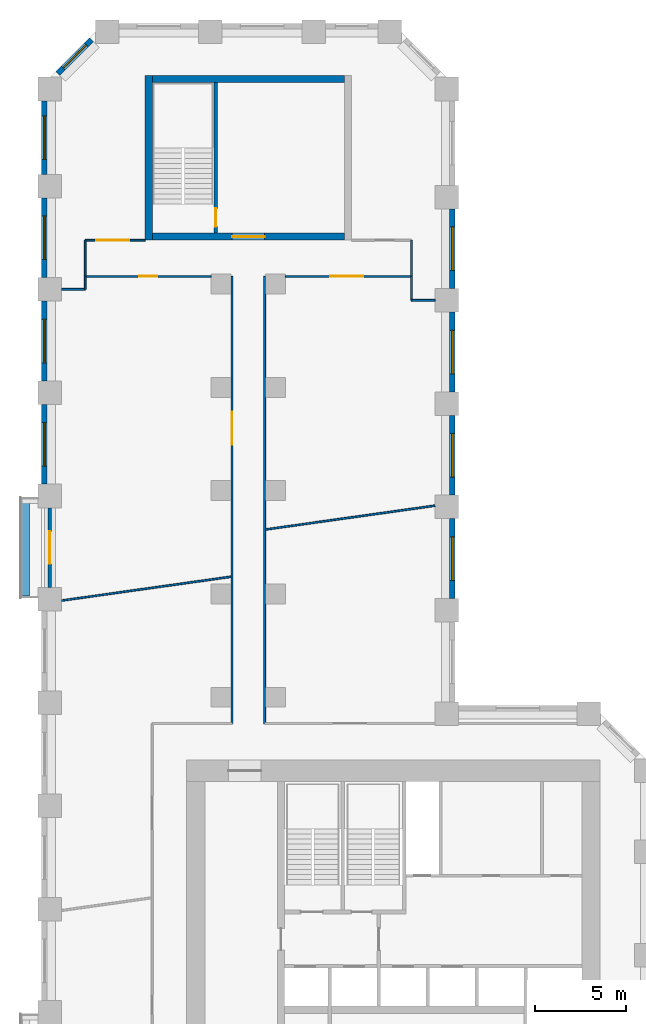
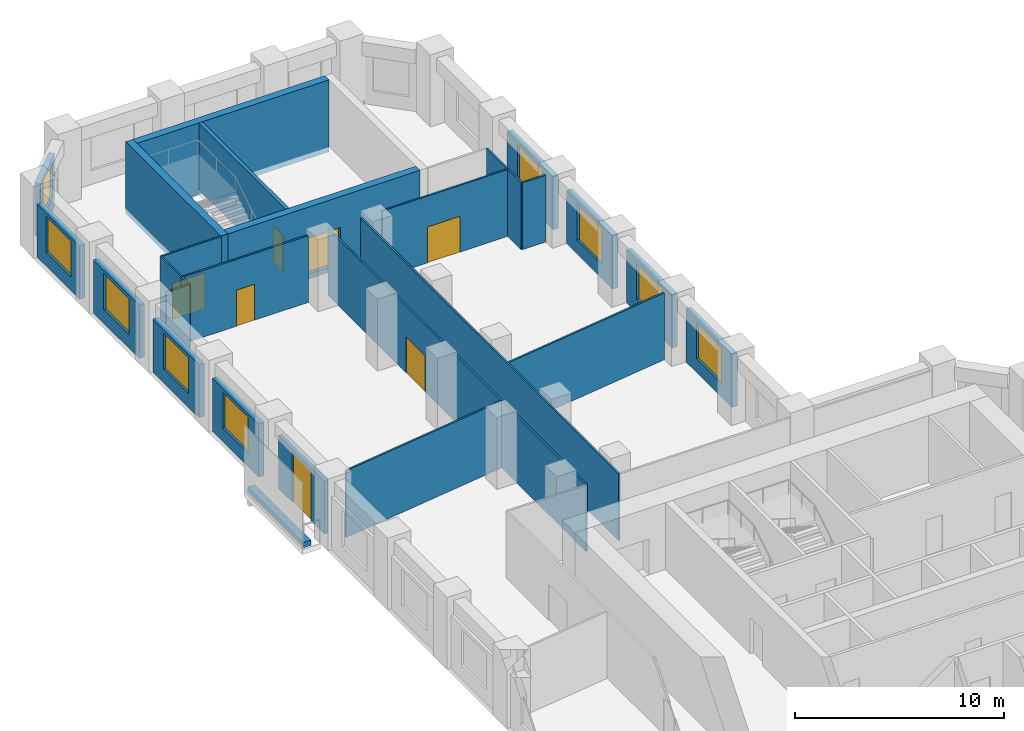
# One storey, part 8 of 11: 28 walls, 9 windows, 7 doors, 16 openings.
"""IFC4 building model written with IfcOpenShell, lengths in metres."""

from ifc_helpers import new_model, si_unit, direction, frame, frame_2d, origin, place, context, subcontext, project, spatial, rectangle, extrude, material, layer, layer_set, type_object, element, fill, save


model = new_model("IFC4")

# Units and contexts
model_context = context("Model", 3, precision=1e-05, world=origin(), true_north=direction((0.0, 1.0)))
body_context = subcontext(model_context, "Body", "Model", "MODEL_VIEW")
ifc_project = project(units=[si_unit("LENGTHUNIT", "METRE"), si_unit("AREAUNIT", "SQUARE_METRE"), si_unit("VOLUMEUNIT", "CUBIC_METRE"), si_unit("PLANEANGLEUNIT", "RADIAN"), si_unit("MASSUNIT", "GRAM", prefix="KILO")], contexts=[model_context])

# Site, building, storey
site_placement = place(None, origin())
site = spatial("IfcSite", under=ifc_project, at=site_placement, CompositionType="ELEMENT")
building_placement = place(site_placement, origin())
building = spatial("IfcBuilding", under=site, at=building_placement, Name="Meshkara Civic Tower", CompositionType="ELEMENT")
storey_placement = place(building_placement, frame((0.0, 0.0, 105.60009765625)))
storey = spatial("IfcBuildingStorey", under=building, at=storey_placement, Name="L23", CompositionType="ELEMENT", Elevation=105.60009765625)

# Wall, opening, door
ifc_material_1 = material(Name="Corridor wall 100")
ifc_layer_1 = layer(ifc_material_1, 0.10009765625)
ifc_layer_set_1 = layer_set([ifc_layer_1], Name="Corridor wall 100")
wall_type_1 = type_object("IfcWallType", Name="Corridor wall 100", PredefinedType="PARTITIONING", material=ifc_layer_set_1)
wall_1_placement = place(storey_placement, frame((2.39990234375, 63.570068359375, 0.0), z_axis=(0.0, 0.0, 1.0), x_axis=(1.0, 0.0, 0.0)))
wall_1 = element("IfcWall", 1, at=wall_1_placement, inside=storey, type_object=wall_type_1, Name="L23-W001", PredefinedType="PARTITIONING", context=body_context, shape_type="SweptSolid", body=[
    extrude(rectangle(XDim=6.9501953125, YDim=0.10009765625, at=frame_2d((3.47509765625, 0.0))), origin(), (0.0, 0.0, 1.0), 3.89990234375),
])
opening_1_placement = place(wall_1_placement, frame((2.97998046875, 0.0, 0.0)))
opening_1 = element("IfcOpeningElement", 2, at=opening_1_placement, cuts=wall_1, Name="Opening L23-D024", PredefinedType="OPENING", context=body_context, shape_type="SweptSolid", body=[
    extrude(rectangle(XDim=1.0, YDim=2.10009765625, at=frame_2d((0.5, 1.050048828125))), frame((0.0, 0.06005859375, 0.0), z_axis=(0.0, -1.0, 0.0), x_axis=(1.0, 0.0, 0.0)), (0.0, 0.0, 1.0), 0.1201171875),
])
ifc_material_2 = material(Name="Door 1000 x 2100")
door_type_1 = type_object("IfcDoorType", Name="Door 1000 x 2100", OperationType="SINGLE_SWING_LEFT", PredefinedType="DOOR", material=ifc_material_2)
door_1_placement = place(opening_1_placement, origin())
door_1 = element("IfcDoor", 3, at=door_1_placement, inside=storey, type_object=door_type_1, Name="L23-D024", OperationType="SINGLE_SWING_LEFT", OverallHeight=2.10009765625, OverallWidth=1.0, PredefinedType="DOOR", context=body_context, shape_type="SweptSolid", body=[
    extrude(rectangle(XDim=1.0, YDim=2.10009765625, at=frame_2d((0.5, 1.050048828125))), frame((0.0, 0.02490234375, 0.0), z_axis=(0.0, -1.0, 0.0), x_axis=(1.0, 0.0, 0.0)), (0.0, 0.0, 1.0), 0.050048828125),
])
fill(opening_1, door_1)

# Wall
wall_2_placement = place(storey_placement, frame((2.39990234375, 65.570068359375, 0.0), z_axis=(0.0, 0.0, 1.0), x_axis=(0.0, -1.0, 0.0)))
element("IfcWall", 4, at=wall_2_placement, inside=storey, type_object=wall_type_1, Name="L23-W002", PredefinedType="PARTITIONING", context=body_context, shape_type="SweptSolid", body=[
    extrude(rectangle(XDim=2.0, YDim=0.10009765625, at=frame_2d((1.0, 0.0))), origin(), (0.0, 0.0, 1.0), 3.89990234375),
])

# Wall, opening, door
wall_3_placement = place(storey_placement, frame((5.699951171875, 65.570068359375, 0.0), z_axis=(0.0, 0.0, 1.0), x_axis=(-1.0, 0.0, 0.0)))
wall_3 = element("IfcWall", 5, at=wall_3_placement, inside=storey, type_object=wall_type_1, Name="L23-W003", PredefinedType="PARTITIONING", context=body_context, shape_type="SweptSolid", body=[
    extrude(rectangle(XDim=3.300048828125, YDim=0.10009765625, at=frame_2d((1.64990234375, 0.0))), origin(), (0.0, 0.0, 1.0), 3.89990234375),
])
opening_2_placement = place(wall_3_placement, frame((0.8798828125, 0.0, 0.0)))
opening_2 = element("IfcOpeningElement", 6, at=opening_2_placement, cuts=wall_3, Name="Opening L23-D023", PredefinedType="OPENING", context=body_context, shape_type="SweptSolid", body=[
    extrude(rectangle(XDim=1.800048828125, YDim=2.10009765625, at=frame_2d((0.89990234375, 1.050048828125))), frame((0.0, 0.06005859375, 0.0), z_axis=(0.0, -1.0, 0.0), x_axis=(1.0, 0.0, 0.0)), (0.0, 0.0, 1.0), 0.1201171875),
])
ifc_material_3 = material(Name="Door pair 1800 x 2100")
door_type_2 = type_object("IfcDoorType", Name="Door pair 1800 x 2100", OperationType="SINGLE_SWING_LEFT", PredefinedType="DOOR", material=ifc_material_3)
door_2_placement = place(opening_2_placement, origin())
door_2 = element("IfcDoor", 7, at=door_2_placement, inside=storey, type_object=door_type_2, Name="L23-D023", OperationType="DOUBLE_DOOR_SINGLE_SWING", OverallHeight=2.10009765625, OverallWidth=1.800048828125, PredefinedType="DOOR", context=body_context, shape_type="SweptSolid", body=[
    extrude(rectangle(XDim=1.800048828125, YDim=2.10009765625, at=frame_2d((0.89990234375, 1.050048828125))), frame((0.0, 0.02490234375, 0.0), z_axis=(0.0, -1.0, 0.0), x_axis=(1.0, 0.0, 0.0)), (0.0, 0.0, 1.0), 0.050048828125),
])
fill(opening_2, door_2)

wall_4_placement = place(storey_placement, frame((10.5, 63.570068359375, 0.0), z_axis=(0.0, 0.0, 1.0), x_axis=(0.0, -1.0, 0.0)))
wall_4 = element("IfcWall", 8, at=wall_4_placement, inside=storey, type_object=wall_type_1, Name="L23-W012", PredefinedType="PARTITIONING", context=body_context, shape_type="SweptSolid", body=[
    extrude(rectangle(XDim=24.670166015625, YDim=0.10009765625, at=frame_2d((12.3349609375, 0.0))), origin(), (0.0, 0.0, 1.0), 3.89990234375),
])
opening_3_placement = place(wall_4_placement, frame((7.47998046875, 0.0, 0.0)))
opening_3 = element("IfcOpeningElement", 9, at=opening_3_placement, cuts=wall_4, Name="Opening L23-D022", PredefinedType="OPENING", context=body_context, shape_type="SweptSolid", body=[
    extrude(rectangle(XDim=1.800048828125, YDim=2.10009765625, at=frame_2d((0.89990234375, 1.050048828125))), frame((0.0, 0.06005859375, 0.0), z_axis=(0.0, -1.0, 0.0), x_axis=(1.0, 0.0, 0.0)), (0.0, 0.0, 1.0), 0.1201171875),
])
door_3_placement = place(opening_3_placement, origin())
door_3 = element("IfcDoor", 10, at=door_3_placement, inside=storey, type_object=door_type_2, Name="L23-D022", OperationType="DOUBLE_DOOR_SINGLE_SWING", OverallHeight=2.10009765625, OverallWidth=1.800048828125, PredefinedType="DOOR", context=body_context, shape_type="SweptSolid", body=[
    extrude(rectangle(XDim=1.800048828125, YDim=2.10009765625, at=frame_2d((0.89990234375, 1.050048828125))), frame((0.0, 0.02490234375, 0.0), z_axis=(0.0, -1.0, 0.0), x_axis=(1.0, 0.0, 0.0)), (0.0, 0.0, 1.0), 0.050048828125),
])
fill(opening_3, door_3)

# Wall
wall_5_placement = place(storey_placement, frame((12.300048828125, 63.570068359375, 0.0), z_axis=(0.0, 0.0, 1.0), x_axis=(0.0, -1.0, 0.0)))
element("IfcWall", 11, at=wall_5_placement, inside=storey, type_object=wall_type_1, Name="L23-W013", PredefinedType="PARTITIONING", context=body_context, shape_type="SweptSolid", body=[
    extrude(rectangle(XDim=24.670166015625, YDim=0.10009765625, at=frame_2d((12.3349609375, 0.0))), origin(), (0.0, 0.0, 1.0), 3.89990234375),
])

# Wall, opening, door
wall_6_placement = place(storey_placement, frame((13.449951171875, 63.570068359375, 0.0), z_axis=(0.0, 0.0, 1.0), x_axis=(1.0, 0.0, 0.0)))
wall_6 = element("IfcWall", 12, at=wall_6_placement, inside=storey, type_object=wall_type_1, Name="L23-W015", PredefinedType="PARTITIONING", context=body_context, shape_type="SweptSolid", body=[
    extrude(rectangle(XDim=6.949951171875, YDim=0.10009765625, at=frame_2d((3.47509765625, 0.0))), origin(), (0.0, 0.0, 1.0), 3.89990234375),
])
opening_4_placement = place(wall_6_placement, frame((2.47998046875, 0.0, 0.0)))
opening_4 = element("IfcOpeningElement", 13, at=opening_4_placement, cuts=wall_6, Name="Opening L23-D025", PredefinedType="OPENING", context=body_context, shape_type="SweptSolid", body=[
    extrude(rectangle(XDim=1.800048828125, YDim=2.10009765625, at=frame_2d((0.89990234375, 1.050048828125))), frame((0.0, 0.06005859375, 0.0), z_axis=(0.0, -1.0, 0.0), x_axis=(1.0, 0.0, 0.0)), (0.0, 0.0, 1.0), 0.1201171875),
])
door_4_placement = place(opening_4_placement, origin())
door_4 = element("IfcDoor", 14, at=door_4_placement, inside=storey, type_object=door_type_2, Name="L23-D025", OperationType="DOUBLE_DOOR_SINGLE_SWING", OverallHeight=2.10009765625, OverallWidth=1.800048828125, PredefinedType="DOOR", context=body_context, shape_type="SweptSolid", body=[
    extrude(rectangle(XDim=1.800048828125, YDim=2.10009765625, at=frame_2d((0.89990234375, 1.050048828125))), frame((0.0, 0.02490234375, 0.0), z_axis=(0.0, -1.0, 0.0), x_axis=(1.0, 0.0, 0.0)), (0.0, 0.0, 1.0), 0.050048828125),
])
fill(opening_4, door_4)

# Wall
wall_7_placement = place(storey_placement, frame((20.39990234375, 63.570068359375, 0.0), z_axis=(0.0, 0.0, 1.0), x_axis=(0.0, 1.0, 0.0)))
element("IfcWall", 15, at=wall_7_placement, inside=storey, type_object=wall_type_1, Name="L23-W016", PredefinedType="PARTITIONING", context=body_context, shape_type="SweptSolid", body=[
    extrude(rectangle(XDim=2.0, YDim=0.10009765625, at=frame_2d((1.0, 0.0))), origin(), (0.0, 0.0, 1.0), 3.89990234375),
])

# Wall, opening, window
ifc_material_4 = material(Name="Insulated infill panel with bronze anodised aluminium cladding", Category="aluminium")
ifc_layer_2 = layer(ifc_material_4, 0.300048828125)
ifc_layer_set_2 = layer_set([ifc_layer_2], Name="EXTERNAL INFILL WALL 300")
wall_type_2 = type_object("IfcWallType", Name="EXTERNAL INFILL WALL 300", PredefinedType="SOLIDWALL", material=ifc_layer_set_2)
wall_8_placement = place(storey_placement, frame((22.64990234375, 45.800048828125, 0.0), z_axis=(0.0, 0.0, 1.0), x_axis=(0.0, 1.0, 0.0)))
wall_8 = element("IfcWall", 16, at=wall_8_placement, inside=storey, type_object=wall_type_2, Name="External wall", PredefinedType="SOLIDWALL", context=body_context, shape_type="SweptSolid", body=[
    extrude(rectangle(XDim=4.39990234375, YDim=0.300048828125, at=frame_2d((2.199951171875, 0.0))), origin(), (0.0, 0.0, 1.0), 3.099853515625),
])
opening_5_placement = place(wall_8_placement, frame((1.0, 0.0, 0.800048828125)))
opening_5 = element("IfcOpeningElement", 17, at=opening_5_placement, cuts=wall_8, Name="Opening W7", PredefinedType="OPENING", context=body_context, shape_type="SweptSolid", body=[
    extrude(rectangle(XDim=2.39990234375, YDim=2.10009765625, at=frame_2d((1.199951171875, 1.050048828125))), frame((0.0, 0.159912109375, 0.0), z_axis=(0.0, -1.0, 0.0), x_axis=(1.0, 0.0, 0.0)), (0.0, 0.0, 1.0), 0.320068359375),
])
ifc_material_5 = material(Name="Tinted double glazing", Category="glass")
window_type_1 = type_object("IfcWindowType", Name="WINDOW 2400x2100", PartitioningType="DOUBLE_PANEL_VERTICAL", PredefinedType="WINDOW", material=ifc_material_5)
window_1_placement = place(opening_5_placement, origin())
window_1 = element("IfcWindow", 18, at=window_1_placement, inside=storey, type_object=window_type_1, Name="Window", OverallHeight=2.10009765625, OverallWidth=2.39990234375, PartitioningType="DOUBLE_PANEL_VERTICAL", PredefinedType="WINDOW", context=body_context, shape_type="SweptSolid", body=[
    extrude(rectangle(XDim=2.39990234375, YDim=2.10009765625, at=frame_2d((1.199951171875, 1.050048828125))), frame((0.0, 0.030029296875, 0.0), z_axis=(0.0, -1.0, 0.0), x_axis=(1.0, 0.0, 0.0)), (0.0, 0.0, 1.0), 0.06005859375),
])
fill(opening_5, window_1)

wall_9_placement = place(storey_placement, frame((22.64990234375, 51.5, 0.0), z_axis=(0.0, 0.0, 1.0), x_axis=(0.0, 1.0, 0.0)))
wall_9 = element("IfcWall", 19, at=wall_9_placement, inside=storey, type_object=wall_type_2, Name="External wall", PredefinedType="SOLIDWALL", context=body_context, shape_type="SweptSolid", body=[
    extrude(rectangle(XDim=4.39990234375, YDim=0.300048828125, at=frame_2d((2.199951171875, 0.0))), origin(), (0.0, 0.0, 1.0), 3.099853515625),
])
opening_6_placement = place(wall_9_placement, frame((1.0, 0.0, 0.800048828125)))
opening_6 = element("IfcOpeningElement", 20, at=opening_6_placement, cuts=wall_9, Name="Opening W7", PredefinedType="OPENING", context=body_context, shape_type="SweptSolid", body=[
    extrude(rectangle(XDim=2.39990234375, YDim=2.10009765625, at=frame_2d((1.199951171875, 1.050048828125))), frame((0.0, 0.159912109375, 0.0), z_axis=(0.0, -1.0, 0.0), x_axis=(1.0, 0.0, 0.0)), (0.0, 0.0, 1.0), 0.320068359375),
])
window_2_placement = place(opening_6_placement, origin())
window_2 = element("IfcWindow", 21, at=window_2_placement, inside=storey, type_object=window_type_1, Name="Window", OverallHeight=2.10009765625, OverallWidth=2.39990234375, PartitioningType="DOUBLE_PANEL_VERTICAL", PredefinedType="WINDOW", context=body_context, shape_type="SweptSolid", body=[
    extrude(rectangle(XDim=2.39990234375, YDim=2.10009765625, at=frame_2d((1.199951171875, 1.050048828125))), frame((0.0, 0.030029296875, 0.0), z_axis=(0.0, -1.0, 0.0), x_axis=(1.0, 0.0, 0.0)), (0.0, 0.0, 1.0), 0.06005859375),
])
fill(opening_6, window_2)

wall_10_placement = place(storey_placement, frame((22.64990234375, 57.199951171875, 0.0), z_axis=(0.0, 0.0, 1.0), x_axis=(0.0, 1.0, 0.0)))
wall_10 = element("IfcWall", 22, at=wall_10_placement, inside=storey, type_object=wall_type_2, Name="External wall", PredefinedType="SOLIDWALL", context=body_context, shape_type="SweptSolid", body=[
    extrude(rectangle(XDim=4.400146484375, YDim=0.300048828125, at=frame_2d((2.2001953125, 0.0))), origin(), (0.0, 0.0, 1.0), 3.099853515625),
])
opening_7_placement = place(wall_10_placement, frame((1.0, 0.0, 0.800048828125)))
opening_7 = element("IfcOpeningElement", 23, at=opening_7_placement, cuts=wall_10, Name="Opening W7", PredefinedType="OPENING", context=body_context, shape_type="SweptSolid", body=[
    extrude(rectangle(XDim=2.39990234375, YDim=2.10009765625, at=frame_2d((1.199951171875, 1.050048828125))), frame((0.0, 0.159912109375, 0.0), z_axis=(0.0, -1.0, 0.0), x_axis=(1.0, 0.0, 0.0)), (0.0, 0.0, 1.0), 0.320068359375),
])
window_3_placement = place(opening_7_placement, origin())
window_3 = element("IfcWindow", 24, at=window_3_placement, inside=storey, type_object=window_type_1, Name="Window", OverallHeight=2.10009765625, OverallWidth=2.39990234375, PartitioningType="DOUBLE_PANEL_VERTICAL", PredefinedType="WINDOW", context=body_context, shape_type="SweptSolid", body=[
    extrude(rectangle(XDim=2.39990234375, YDim=2.10009765625, at=frame_2d((1.199951171875, 1.050048828125))), frame((0.0, 0.030029296875, 0.0), z_axis=(0.0, -1.0, 0.0), x_axis=(1.0, 0.0, 0.0)), (0.0, 0.0, 1.0), 0.06005859375),
])
fill(opening_7, window_3)

wall_11_placement = place(storey_placement, frame((22.64990234375, 62.89990234375, 0.0), z_axis=(0.0, 0.0, 1.0), x_axis=(0.0, 1.0, 0.0)))
wall_11 = element("IfcWall", 25, at=wall_11_placement, inside=storey, type_object=wall_type_2, Name="External wall", PredefinedType="SOLIDWALL", context=body_context, shape_type="SweptSolid", body=[
    extrude(rectangle(XDim=4.400146484375, YDim=0.300048828125, at=frame_2d((2.2001953125, 0.0))), origin(), (0.0, 0.0, 1.0), 3.099853515625),
])
opening_8_placement = place(wall_11_placement, frame((1.0, 0.0, 0.800048828125)))
opening_8 = element("IfcOpeningElement", 26, at=opening_8_placement, cuts=wall_11, Name="Opening W7", PredefinedType="OPENING", context=body_context, shape_type="SweptSolid", body=[
    extrude(rectangle(XDim=2.39990234375, YDim=2.10009765625, at=frame_2d((1.199951171875, 1.050048828125))), frame((0.0, 0.159912109375, 0.0), z_axis=(0.0, -1.0, 0.0), x_axis=(1.0, 0.0, 0.0)), (0.0, 0.0, 1.0), 0.320068359375),
])
window_4_placement = place(opening_8_placement, origin())
window_4 = element("IfcWindow", 27, at=window_4_placement, inside=storey, type_object=window_type_1, Name="Window", OverallHeight=2.10009765625, OverallWidth=2.39990234375, PartitioningType="DOUBLE_PANEL_VERTICAL", PredefinedType="WINDOW", context=body_context, shape_type="SweptSolid", body=[
    extrude(rectangle(XDim=2.39990234375, YDim=2.10009765625, at=frame_2d((1.199951171875, 1.050048828125))), frame((0.0, 0.030029296875, 0.0), z_axis=(0.0, -1.0, 0.0), x_axis=(1.0, 0.0, 0.0)), (0.0, 0.0, 1.0), 0.06005859375),
])
fill(opening_8, window_4)

wall_12_placement = place(storey_placement, frame((2.743896484375, 76.632080078125, 0.0), z_axis=(0.0, 0.0, 1.0), x_axis=(-0.707060274772, -0.707153284542, 0.0)))
wall_12 = element("IfcWall", 28, at=wall_12_placement, inside=storey, type_object=wall_type_2, Name="External wall", PredefinedType="SOLIDWALL", context=body_context, shape_type="SweptSolid", body=[
    extrude(rectangle(XDim=2.625, YDim=0.300048828125, at=frame_2d((1.3125, 0.0))), origin(), (0.0, 0.0, 1.0), 3.099853515625),
])
opening_9_placement = place(wall_12_placement, frame((0.412109375, 0.0, 0.800048828125)))
opening_9 = element("IfcOpeningElement", 29, at=opening_9_placement, cuts=wall_12, Name="Opening W9", PredefinedType="OPENING", context=body_context, shape_type="SweptSolid", body=[
    extrude(rectangle(XDim=1.800048828125, YDim=2.10009765625, at=frame_2d((0.89990234375, 1.050048828125))), frame((0.0, 0.159912109375, 0.0), z_axis=(0.0, -1.0, 0.0), x_axis=(1.0, 0.0, 0.0)), (0.0, 0.0, 1.0), 0.320068359375),
])
ifc_material_6 = material(Name="Tinted double glazing", Category="glass")
window_type_2 = type_object("IfcWindowType", Name="WINDOW 1800x2100", PartitioningType="DOUBLE_PANEL_VERTICAL", PredefinedType="WINDOW", material=ifc_material_6)
window_5_placement = place(opening_9_placement, origin())
window_5 = element("IfcWindow", 30, at=window_5_placement, inside=storey, type_object=window_type_2, Name="Window", OverallHeight=2.10009765625, OverallWidth=1.800048828125, PartitioningType="DOUBLE_PANEL_VERTICAL", PredefinedType="WINDOW", context=body_context, shape_type="SweptSolid", body=[
    extrude(rectangle(XDim=1.800048828125, YDim=2.10009765625, at=frame_2d((0.89990234375, 1.050048828125))), frame((0.0, 0.030029296875, 0.0), z_axis=(0.0, -1.0, 0.0), x_axis=(1.0, 0.0, 0.0)), (0.0, 0.0, 1.0), 0.06005859375),
])
fill(opening_9, window_5)

wall_13_placement = place(storey_placement, frame((0.14990234375, 73.263916015625, 0.0), z_axis=(0.0, 0.0, 1.0), x_axis=(0.0, -1.0, 0.0)))
wall_13 = element("IfcWall", 31, at=wall_13_placement, inside=storey, type_object=wall_type_2, Name="External wall", PredefinedType="SOLIDWALL", context=body_context, shape_type="SweptSolid", body=[
    extrude(rectangle(XDim=4.058837890625, YDim=0.300048828125, at=frame_2d((2.029296875, 0.0))), origin(), (0.0, 0.0, 1.0), 3.099853515625),
])
opening_10_placement = place(wall_13_placement, frame((0.8291015625, 0.0, 0.800048828125)))
opening_10 = element("IfcOpeningElement", 32, at=opening_10_placement, cuts=wall_13, Name="Opening W7", PredefinedType="OPENING", context=body_context, shape_type="SweptSolid", body=[
    extrude(rectangle(XDim=2.39990234375, YDim=2.10009765625, at=frame_2d((1.199951171875, 1.050048828125))), frame((0.0, 0.159912109375, 0.0), z_axis=(0.0, -1.0, 0.0), x_axis=(1.0, 0.0, 0.0)), (0.0, 0.0, 1.0), 0.320068359375),
])
window_6_placement = place(opening_10_placement, origin())
window_6 = element("IfcWindow", 33, at=window_6_placement, inside=storey, type_object=window_type_1, Name="Window", OverallHeight=2.10009765625, OverallWidth=2.39990234375, PartitioningType="DOUBLE_PANEL_VERTICAL", PredefinedType="WINDOW", context=body_context, shape_type="SweptSolid", body=[
    extrude(rectangle(XDim=2.39990234375, YDim=2.10009765625, at=frame_2d((1.199951171875, 1.050048828125))), frame((0.0, 0.030029296875, 0.0), z_axis=(0.0, -1.0, 0.0), x_axis=(1.0, 0.0, 0.0)), (0.0, 0.0, 1.0), 0.06005859375),
])
fill(opening_10, window_6)

wall_14_placement = place(storey_placement, frame((0.14990234375, 67.905029296875, 0.0), z_axis=(0.0, 0.0, 1.0), x_axis=(0.0, -1.0, 0.0)))
wall_14 = element("IfcWall", 34, at=wall_14_placement, inside=storey, type_object=wall_type_2, Name="External wall", PredefinedType="SOLIDWALL", context=body_context, shape_type="SweptSolid", body=[
    extrude(rectangle(XDim=4.400146484375, YDim=0.300048828125, at=frame_2d((2.2001953125, 0.0))), origin(), (0.0, 0.0, 1.0), 3.099853515625),
])
opening_11_placement = place(wall_14_placement, frame((1.0, 0.0, 0.800048828125)))
opening_11 = element("IfcOpeningElement", 35, at=opening_11_placement, cuts=wall_14, Name="Opening W7", PredefinedType="OPENING", context=body_context, shape_type="SweptSolid", body=[
    extrude(rectangle(XDim=2.39990234375, YDim=2.10009765625, at=frame_2d((1.199951171875, 1.050048828125))), frame((0.0, 0.159912109375, 0.0), z_axis=(0.0, -1.0, 0.0), x_axis=(1.0, 0.0, 0.0)), (0.0, 0.0, 1.0), 0.320068359375),
])
window_7_placement = place(opening_11_placement, origin())
window_7 = element("IfcWindow", 36, at=window_7_placement, inside=storey, type_object=window_type_1, Name="Window", OverallHeight=2.10009765625, OverallWidth=2.39990234375, PartitioningType="DOUBLE_PANEL_VERTICAL", PredefinedType="WINDOW", context=body_context, shape_type="SweptSolid", body=[
    extrude(rectangle(XDim=2.39990234375, YDim=2.10009765625, at=frame_2d((1.199951171875, 1.050048828125))), frame((0.0, 0.030029296875, 0.0), z_axis=(0.0, -1.0, 0.0), x_axis=(1.0, 0.0, 0.0)), (0.0, 0.0, 1.0), 0.06005859375),
])
fill(opening_11, window_7)

wall_15_placement = place(storey_placement, frame((0.14990234375, 62.205078125, 0.0), z_axis=(0.0, 0.0, 1.0), x_axis=(0.0, -1.0, 0.0)))
wall_15 = element("IfcWall", 37, at=wall_15_placement, inside=storey, type_object=wall_type_2, Name="External wall", PredefinedType="SOLIDWALL", context=body_context, shape_type="SweptSolid", body=[
    extrude(rectangle(XDim=4.400146484375, YDim=0.300048828125, at=frame_2d((2.2001953125, 0.0))), origin(), (0.0, 0.0, 1.0), 3.099853515625),
])
opening_12_placement = place(wall_15_placement, frame((1.0, 0.0, 0.800048828125)))
opening_12 = element("IfcOpeningElement", 38, at=opening_12_placement, cuts=wall_15, Name="Opening W7", PredefinedType="OPENING", context=body_context, shape_type="SweptSolid", body=[
    extrude(rectangle(XDim=2.39990234375, YDim=2.10009765625, at=frame_2d((1.199951171875, 1.050048828125))), frame((0.0, 0.159912109375, 0.0), z_axis=(0.0, -1.0, 0.0), x_axis=(1.0, 0.0, 0.0)), (0.0, 0.0, 1.0), 0.320068359375),
])
window_8_placement = place(opening_12_placement, origin())
window_8 = element("IfcWindow", 39, at=window_8_placement, inside=storey, type_object=window_type_1, Name="Window", OverallHeight=2.10009765625, OverallWidth=2.39990234375, PartitioningType="DOUBLE_PANEL_VERTICAL", PredefinedType="WINDOW", context=body_context, shape_type="SweptSolid", body=[
    extrude(rectangle(XDim=2.39990234375, YDim=2.10009765625, at=frame_2d((1.199951171875, 1.050048828125))), frame((0.0, 0.030029296875, 0.0), z_axis=(0.0, -1.0, 0.0), x_axis=(1.0, 0.0, 0.0)), (0.0, 0.0, 1.0), 0.06005859375),
])
fill(opening_12, window_8)

wall_16_placement = place(storey_placement, frame((0.14990234375, 56.5048828125, 0.0), z_axis=(0.0, 0.0, 1.0), x_axis=(0.0, -1.0, 0.0)))
wall_16 = element("IfcWall", 40, at=wall_16_placement, inside=storey, type_object=wall_type_2, Name="External wall", PredefinedType="SOLIDWALL", context=body_context, shape_type="SweptSolid", body=[
    extrude(rectangle(XDim=4.39990234375, YDim=0.300048828125, at=frame_2d((2.199951171875, 0.0))), origin(), (0.0, 0.0, 1.0), 3.099853515625),
])
opening_13_placement = place(wall_16_placement, frame((1.0, 0.0, 0.800048828125)))
opening_13 = element("IfcOpeningElement", 41, at=opening_13_placement, cuts=wall_16, Name="Opening W7", PredefinedType="OPENING", context=body_context, shape_type="SweptSolid", body=[
    extrude(rectangle(XDim=2.39990234375, YDim=2.10009765625, at=frame_2d((1.199951171875, 1.050048828125))), frame((0.0, 0.159912109375, 0.0), z_axis=(0.0, -1.0, 0.0), x_axis=(1.0, 0.0, 0.0)), (0.0, 0.0, 1.0), 0.320068359375),
])
window_9_placement = place(opening_13_placement, origin())
window_9 = element("IfcWindow", 42, at=window_9_placement, inside=storey, type_object=window_type_1, Name="Window", OverallHeight=2.10009765625, OverallWidth=2.39990234375, PartitioningType="DOUBLE_PANEL_VERTICAL", PredefinedType="WINDOW", context=body_context, shape_type="SweptSolid", body=[
    extrude(rectangle(XDim=2.39990234375, YDim=2.10009765625, at=frame_2d((1.199951171875, 1.050048828125))), frame((0.0, 0.030029296875, 0.0), z_axis=(0.0, -1.0, 0.0), x_axis=(1.0, 0.0, 0.0)), (0.0, 0.0, 1.0), 0.06005859375),
])
fill(opening_13, window_9)

# Wall
ifc_material_7 = material(Name="Concrete C70", Category="concrete")
ifc_layer_3 = layer(ifc_material_7, 0.39990234375)
ifc_layer_set_3 = layer_set([ifc_layer_3], Name="End core ring wall 400 C70")
wall_type_3 = type_object("IfcWallType", Name="End core ring wall 400 C70", PredefinedType="SHEAR", material=ifc_layer_set_3)
wall_17_placement = place(storey_placement, frame((5.89990234375, 65.570068359375, -0.300048828125), z_axis=(0.0, 0.0, 1.0), x_axis=(0.0, 1.0, 0.0)))
element("IfcWall", 43, at=wall_17_placement, inside=storey, type_object=wall_type_3, Name="L23-C026", PredefinedType="SHEAR", context=body_context, shape_type="SweptSolid", body=[
    extrude(rectangle(XDim=9.099853515625, YDim=0.39990234375, at=frame_2d((4.5498046875, 0.0))), origin(), (0.0, 0.0, 1.0), 4.199951171875),
])

# Wall, opening, door
wall_18_placement = place(storey_placement, frame((6.10009765625, 65.77001953125, -0.300048828125), z_axis=(0.0, 0.0, 1.0), x_axis=(1.0, 0.0, 0.0)))
wall_18 = element("IfcWall", 44, at=wall_18_placement, inside=storey, type_object=wall_type_3, Name="L23-C028", PredefinedType="SHEAR", context=body_context, shape_type="SweptSolid", body=[
    extrude(rectangle(XDim=10.599853515625, YDim=0.39990234375, at=frame_2d((5.2998046875, 0.0))), origin(), (0.0, 0.0, 1.0), 4.199951171875),
])
opening_14_placement = place(wall_18_placement, frame((4.39990234375, 0.0, 0.300048828125)))
opening_14 = element("IfcOpeningElement", 45, at=opening_14_placement, cuts=wall_18, Name="Opening L23-K102", PredefinedType="OPENING", context=body_context, shape_type="SweptSolid", body=[
    extrude(rectangle(XDim=1.800048828125, YDim=2.10009765625, at=frame_2d((0.89990234375, 1.050048828125))), frame((0.0, 0.2099609375, 0.0), z_axis=(0.0, -1.0, 0.0), x_axis=(1.0, 0.0, 0.0)), (0.0, 0.0, 1.0), 0.419921875),
])
ifc_material_8 = material(Name="Fire-rated door leaf in steel frame", Category="steel")
door_type_3 = type_object("IfcDoorType", Name="Core double door 1800 EI 60", OperationType="DOUBLE_DOOR_SINGLE_SWING", PredefinedType="DOOR", material=ifc_material_8)
door_5_placement = place(opening_14_placement, origin())
door_5 = element("IfcDoor", 46, at=door_5_placement, inside=storey, type_object=door_type_3, Name="L23-K102", OperationType="DOUBLE_DOOR_SINGLE_SWING", OverallHeight=2.10009765625, OverallWidth=1.800048828125, PredefinedType="DOOR", context=body_context, shape_type="SweptSolid", body=[
    extrude(rectangle(XDim=1.800048828125, YDim=2.10009765625, at=frame_2d((0.89990234375, 1.050048828125))), frame((0.0, 0.02490234375, 0.0), z_axis=(0.0, -1.0, 0.0), x_axis=(1.0, 0.0, 0.0)), (0.0, 0.0, 1.0), 0.050048828125),
])
fill(opening_14, door_5)

# Wall
wall_19_placement = place(storey_placement, frame((6.10009765625, 74.469970703125, -0.300048828125), z_axis=(0.0, 0.0, 1.0), x_axis=(1.0, 0.0, 0.0)))
element("IfcWall", 47, at=wall_19_placement, inside=storey, type_object=wall_type_3, Name="L23-C029", PredefinedType="SHEAR", context=body_context, shape_type="SweptSolid", body=[
    extrude(rectangle(XDim=10.599853515625, YDim=0.39990234375, at=frame_2d((5.2998046875, 0.0))), origin(), (0.0, 0.0, 1.0), 4.199951171875),
])

# Wall, opening, door
ifc_material_9 = material(Name="Insulated infill panel with bronze anodised aluminium cladding", Category="aluminium")
ifc_layer_4 = layer(ifc_material_9, 0.199951171875)
ifc_layer_set_4 = layer_set([ifc_layer_4], Name="LOGGIA BACK WALL 200")
wall_type_4 = type_object("IfcWallType", Name="LOGGIA BACK WALL 200", PredefinedType="SOLIDWALL", material=ifc_layer_set_4)
wall_20_placement = place(storey_placement, frame((0.449951171875, 50.804931640625, 0.0), z_axis=(0.0, 0.0, 1.0), x_axis=(0.0, -1.0, 0.0)))
wall_20 = element("IfcWall", 48, at=wall_20_placement, inside=storey, type_object=wall_type_4, Name="Loggia wall", PredefinedType="SOLIDWALL", context=body_context, shape_type="SweptSolid", body=[
    extrude(rectangle(XDim=4.39892578125, YDim=0.199951171875, at=frame_2d((2.199462890625, 0.0))), origin(), (0.0, 0.0, 1.0), 3.099853515625),
])
opening_15_placement = place(wall_20_placement, frame((1.300048828125, 0.0, 0.0)))
opening_15 = element("IfcOpeningElement", 49, at=opening_15_placement, cuts=wall_20, Name="Opening L23-L001", PredefinedType="OPENING", context=body_context, shape_type="SweptSolid", body=[
    extrude(rectangle(XDim=1.800048828125, YDim=2.89990234375, at=frame_2d((0.89990234375, 1.449951171875))), frame((0.0, 0.10986328125, 0.0), z_axis=(0.0, -1.0, 0.0), x_axis=(1.0, 0.0, 0.0)), (0.0, 0.0, 1.0), 0.219970703125),
])
ifc_material_10 = material(Name="Tinted double glazing", Category="glass")
door_type_4 = type_object("IfcDoorType", Name="LOGGIA DOOR 1800x2900", OperationType="DOUBLE_DOOR_SINGLE_SWING", PredefinedType="DOOR", material=ifc_material_10)
door_6_placement = place(opening_15_placement, origin())
door_6 = element("IfcDoor", 50, at=door_6_placement, inside=storey, type_object=door_type_4, Name="L23-L001", OperationType="DOUBLE_DOOR_SINGLE_SWING", OverallHeight=2.89990234375, OverallWidth=1.800048828125, PredefinedType="DOOR", context=body_context, shape_type="SweptSolid", body=[
    extrude(rectangle(XDim=1.800048828125, YDim=2.89990234375, at=frame_2d((0.89990234375, 1.449951171875))), frame((0.0, 0.02490234375, 0.0), z_axis=(0.0, -1.0, 0.0), x_axis=(1.0, 0.0, 0.0)), (0.0, 0.0, 1.0), 0.050048828125),
])
fill(opening_15, door_6)

# Walls
ifc_material_11 = material(Name="Concrete C40", Category="concrete")
ifc_layer_5 = layer(ifc_material_11, 0.39990234375)
ifc_layer_set_5 = layer_set([ifc_layer_5], Name="PLANTER TRAY")
wall_type_5 = type_object("IfcWallType", Name="PLANTER TRAY", PredefinedType="SOLIDWALL", material=ifc_layer_set_5)
wall_21_placement = place(storey_placement, frame((-0.8798828125, 51.284912109375, 0.0), z_axis=(0.0, 0.0, 1.0), x_axis=(0.0, -1.0, 0.0)))
element("IfcWall", 51, at=wall_21_placement, inside=storey, type_object=wall_type_5, Name="Planter", PredefinedType="SOLIDWALL", context=body_context, shape_type="SweptSolid", body=[
    extrude(rectangle(XDim=5.35986328125, YDim=0.39990234375, at=frame_2d((2.679931640625, 0.0))), origin(), (0.0, 0.0, 1.0), 0.2998046875),
])
ifc_material_12 = material(Name="Partition 100")
ifc_layer_6 = layer(ifc_material_12, 0.10009765625)
ifc_layer_set_6 = layer_set([ifc_layer_6], Name="Partition 100")
wall_type_6 = type_object("IfcWallType", Name="Partition 100", PredefinedType="PARTITIONING", material=ifc_layer_set_6)
wall_22_placement = place(storey_placement, frame((2.39990234375, 62.85498046875, 0.0), z_axis=(0.0, 0.0, 1.0), x_axis=(-1.0, 0.0, 0.0)))
element("IfcWall", 52, at=wall_22_placement, inside=storey, type_object=wall_type_6, Name="L23-W031", PredefinedType="PARTITIONING", context=body_context, shape_type="SweptSolid", body=[
    extrude(rectangle(XDim=1.2998046875, YDim=0.10009765625, at=frame_2d((0.64990234375, 0.0))), origin(), (0.0, 0.0, 1.0), 3.89990234375),
])
wall_23_placement = place(storey_placement, frame((2.39990234375, 63.573974609375, 0.0), z_axis=(0.0, 0.0, 1.0), x_axis=(0.0, -1.0, 0.0)))
element("IfcWall", 53, at=wall_23_placement, inside=storey, type_object=wall_type_6, Name="L23-W032", PredefinedType="PARTITIONING", context=body_context, shape_type="SweptSolid", body=[
    extrude(rectangle(XDim=0.718994140625, YDim=0.10009765625, at=frame_2d((0.359375, 0.0))), origin(), (0.0, 0.0, 1.0), 3.89990234375),
])
wall_24_placement = place(storey_placement, frame((10.443115234375, 46.998046875, 0.0), z_axis=(0.0, 0.0, 1.0), x_axis=(-0.990255073415, -0.139265536207, 0.0)))
element("IfcWall", 54, at=wall_24_placement, inside=storey, type_object=wall_type_6, Name="L23-W037", PredefinedType="PARTITIONING", context=body_context, shape_type="SweptSolid", body=[
    extrude(rectangle(XDim=9.43505859375, YDim=0.10009765625, at=frame_2d((4.717529296875, 0.0))), origin(), (0.0, 0.0, 1.0), 3.89990234375),
])
wall_25_placement = place(storey_placement, frame((20.39990234375, 62.25, 0.0), z_axis=(0.0, 0.0, 1.0), x_axis=(0.0, 1.0, 0.0)))
element("IfcWall", 55, at=wall_25_placement, inside=storey, type_object=wall_type_6, Name="L23-W040", PredefinedType="PARTITIONING", context=body_context, shape_type="SweptSolid", body=[
    extrude(rectangle(XDim=1.323974609375, YDim=0.10009765625, at=frame_2d((0.662109375, 0.0))), origin(), (0.0, 0.0, 1.0), 3.89990234375),
])
wall_26_placement = place(storey_placement, frame((21.699951171875, 50.9208984375, 0.0), z_axis=(0.0, 0.0, 1.0), x_axis=(-0.990255073415, -0.139265536207, 0.0)))
element("IfcWall", 56, at=wall_26_placement, inside=storey, type_object=wall_type_6, Name="L23-W041", PredefinedType="PARTITIONING", context=body_context, shape_type="SweptSolid", body=[
    extrude(rectangle(XDim=9.43505859375, YDim=0.10009765625, at=frame_2d((4.717529296875, 0.0))), origin(), (0.0, 0.0, 1.0), 3.89990234375),
])
wall_27_placement = place(storey_placement, frame((21.699951171875, 62.25, 0.0), z_axis=(0.0, 0.0, 1.0), x_axis=(-1.0, 0.0, 0.0)))
element("IfcWall", 57, at=wall_27_placement, inside=storey, type_object=wall_type_6, Name="L23-W042", PredefinedType="PARTITIONING", context=body_context, shape_type="SweptSolid", body=[
    extrude(rectangle(XDim=1.300048828125, YDim=0.10009765625, at=frame_2d((0.64990234375, 0.0))), origin(), (0.0, 0.0, 1.0), 3.89990234375),
])

# Wall, opening, door
ifc_material_13 = material(Name="Concrete C40/50", Category="concrete")
ifc_layer_7 = layer(ifc_material_13, 0.199951171875)
ifc_layer_set_7 = layer_set([ifc_layer_7], Name="Stair enclosure wall 200 C40/50")
wall_type_7 = type_object("IfcWallType", Name="Stair enclosure wall 200 C40/50", PredefinedType="SOLIDWALL", material=ifc_layer_set_7)
wall_28_placement = place(storey_placement, frame((9.60009765625, 65.969970703125, 0.0), z_axis=(0.0, 0.0, 1.0), x_axis=(0.0, 1.0, 0.0)))
wall_28 = element("IfcWall", 58, at=wall_28_placement, inside=storey, type_object=wall_type_7, Name="L23-C030", PredefinedType="SOLIDWALL", context=body_context, shape_type="SweptSolid", body=[
    extrude(rectangle(XDim=8.300048828125, YDim=0.199951171875, at=frame_2d((4.14990234375, 0.0))), origin(), (0.0, 0.0, 1.0), 3.89990234375),
])
opening_16_placement = place(wall_28_placement, frame((0.35009765625, 0.0, 0.0)))
opening_16 = element("IfcOpeningElement", 59, at=opening_16_placement, cuts=wall_28, Name="Opening L23-K101", PredefinedType="OPENING", context=body_context, shape_type="SweptSolid", body=[
    extrude(rectangle(XDim=1.0, YDim=2.10009765625, at=frame_2d((0.5, 1.050048828125))), frame((0.0, 0.10986328125, 0.0), z_axis=(0.0, -1.0, 0.0), x_axis=(1.0, 0.0, 0.0)), (0.0, 0.0, 1.0), 0.219970703125),
])
ifc_material_14 = material(Name="Fire-rated door leaf in steel frame", Category="steel")
door_type_5 = type_object("IfcDoorType", Name="Stair door 1000 EI 120", OperationType="SINGLE_SWING_LEFT", PredefinedType="DOOR", material=ifc_material_14)
door_7_placement = place(opening_16_placement, origin())
door_7 = element("IfcDoor", 60, at=door_7_placement, inside=storey, type_object=door_type_5, Name="L23-K101", OperationType="SINGLE_SWING_RIGHT", OverallHeight=2.10009765625, OverallWidth=1.0, PredefinedType="DOOR", context=body_context, shape_type="SweptSolid", body=[
    extrude(rectangle(XDim=1.0, YDim=2.10009765625, at=frame_2d((0.5, 1.050048828125))), frame((0.0, 0.02490234375, 0.0), z_axis=(0.0, -1.0, 0.0), x_axis=(1.0, 0.0, 0.0)), (0.0, 0.0, 1.0), 0.050048828125),
])
fill(opening_16, door_7)

save(model, "model.ifc")
